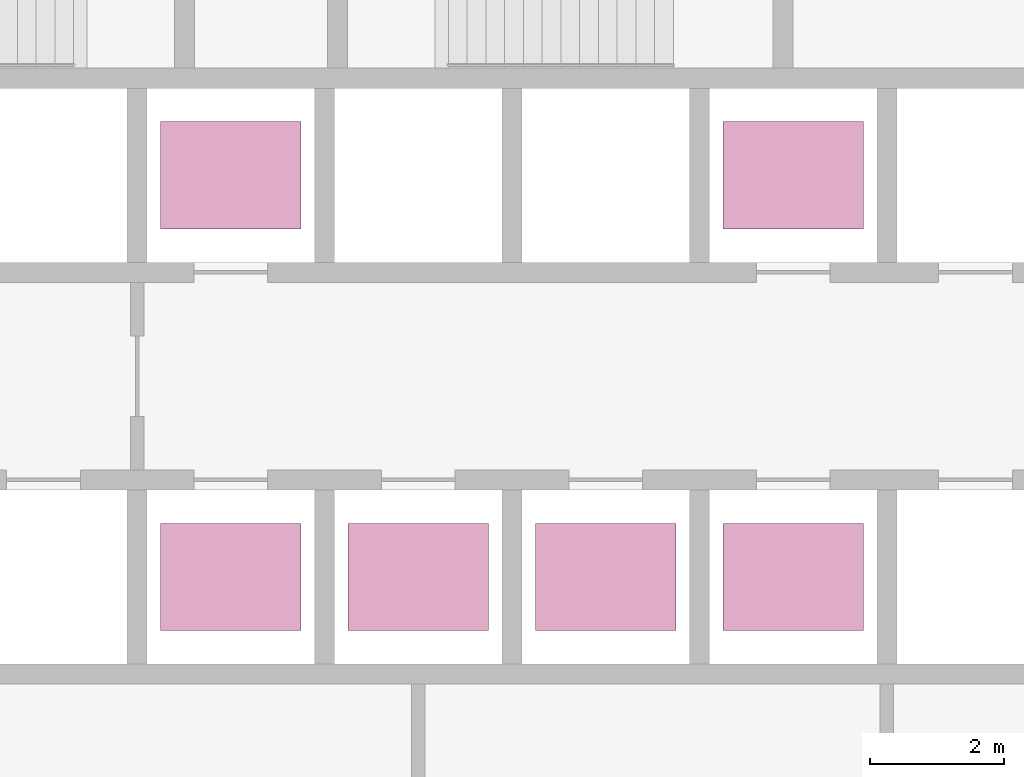
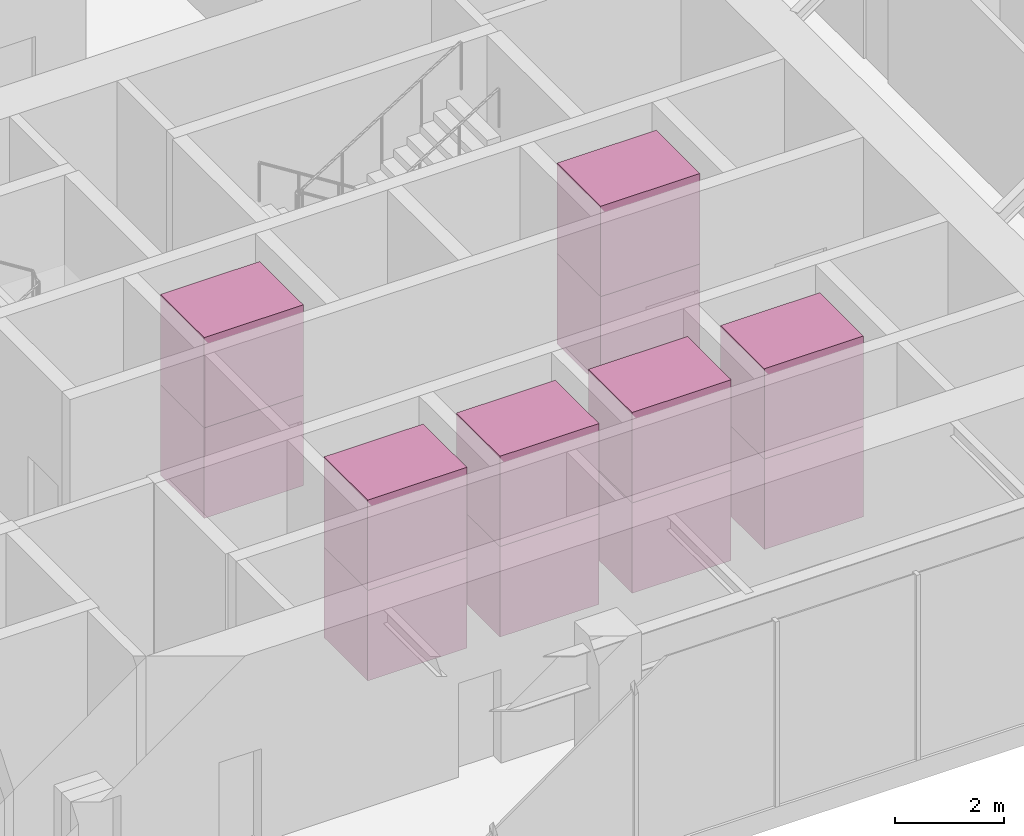
# One storey, part 23 of 23: 12 transport elements.
"""IFC4 building model written with IfcOpenShell, lengths in metres."""

from ifc_helpers import new_model, si_unit, direction, frame, origin, origin_2d, place, context, subcontext, project, spatial, rectangle, extrude, material, type_object, element, save


model = new_model("IFC4")

# Units and contexts
model_context = context("Model", 3, precision=1e-05, world=origin(), true_north=direction((0.0, 1.0)))
body_context = subcontext(model_context, "Body", "Model", "MODEL_VIEW")
ifc_project = project(units=[si_unit("LENGTHUNIT", "METRE"), si_unit("AREAUNIT", "SQUARE_METRE"), si_unit("VOLUMEUNIT", "CUBIC_METRE"), si_unit("PLANEANGLEUNIT", "RADIAN"), si_unit("MASSUNIT", "GRAM", prefix="KILO")], contexts=[model_context])

# Site, building, storey
site_placement = place(None, origin())
site = spatial("IfcSite", under=ifc_project, at=site_placement, CompositionType="ELEMENT")
building_placement = place(site_placement, origin())
building = spatial("IfcBuilding", under=site, at=building_placement, Name="Firuza Gate Tower and Library", CompositionType="ELEMENT")
storey_placement = place(building_placement, frame((0.0, 0.0, 21.800048828125)))
storey = spatial("IfcBuildingStorey", under=building, at=storey_placement, Name="L04", CompositionType="ELEMENT", Elevation=21.800048828125)

# Transport elements
ifc_material = material(Name="Stainless steel and glass", Category="steel")
transport_element_type = type_object("IfcTransportElementType", Name="Low-rise lift car 2100x1600", PredefinedType="ELEVATOR", material=ifc_material)
for number, where, z_axis, x_axis, name in (
    (1, (74.64990234375, 70.300048828125, 0.0), (0.0, 0.0, 1.0), (1.0, 0.0, 0.0), "Low-rise lift LR1"),
    (2, (74.64990234375, 70.300048828125, 2.02490234375), (0.0, 0.0, 1.0), (1.0, 0.0, 0.0), "Low-rise lift LR1"),
    (3, (77.449951171875, 70.300048828125, 0.0), (0.0, 0.0, 1.0), (1.0, 0.0, 0.0), "Low-rise lift LR2"),
    (4, (77.449951171875, 70.300048828125, 2.02490234375), (0.0, 0.0, 1.0), (1.0, 0.0, 0.0), "Low-rise lift LR2"),
    (5, (80.25, 70.300048828125, 0.0), (0.0, 0.0, 1.0), (1.0, 0.0, 0.0), "Low-rise lift LR3"),
    (6, (80.25, 70.300048828125, 2.02490234375), (0.0, 0.0, 1.0), (1.0, 0.0, 0.0), "Low-rise lift LR3"),
    (7, (74.64990234375, 76.300048828125, 0.0), (0.0, 0.0, 1.0), (1.0, 0.0, 0.0), "Low-rise lift LR4"),
    (8, (74.64990234375, 76.300048828125, 2.02490234375), (0.0, 0.0, 1.0), (1.0, 0.0, 0.0), "Low-rise lift LR4"),
    (9, (83.050048828125, 70.300048828125, 0.0), (0.0, 0.0, 1.0), (1.0, 0.0, 0.0), "Low-rise lift LR5"),
    (10, (83.050048828125, 70.300048828125, 2.02490234375), (0.0, 0.0, 1.0), (1.0, 0.0, 0.0), "Low-rise lift LR5"),
    (11, (83.050048828125, 76.300048828125, 0.0), (0.0, 0.0, 1.0), (1.0, 0.0, 0.0), "Low-rise lift LR6"),
    (12, (83.050048828125, 76.300048828125, 2.02490234375), (0.0, 0.0, 1.0), (1.0, 0.0, 0.0), "Low-rise lift LR6"),
):
    element("IfcTransportElement", number, at=place(storey_placement, frame(where, z_axis=z_axis, x_axis=x_axis)), inside=storey, type_object=transport_element_type, Name=name, PredefinedType="ELEVATOR", context=body_context, shape_type="SweptSolid", body=[
        extrude(rectangle(XDim=2.10009765625, YDim=1.60009765625, at=origin_2d()), origin(), (0.0, 0.0, 1.0), 2.02490234375),
    ])

save(model, "model.ifc")
